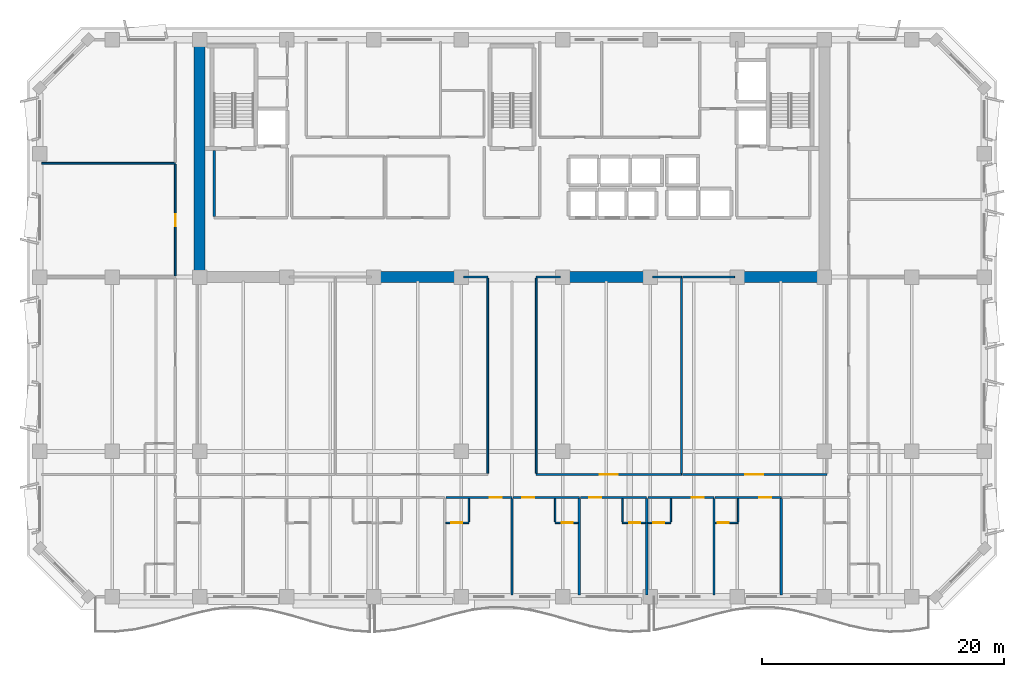
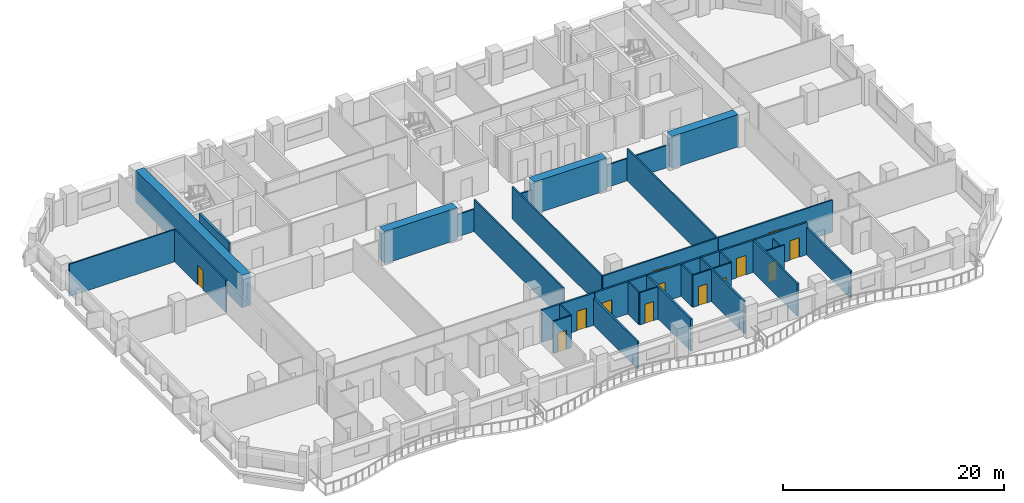
# One storey, part 6 of 15: 36 walls, 13 doors, 13 openings.
"""IFC4 building model written with IfcOpenShell, lengths in metres."""

from ifc_helpers import new_model, si_unit, direction, frame, frame_2d, origin, place, context, subcontext, project, spatial, rectangle, extrude, material, layer, layer_set, type_object, element, fill, save


model = new_model("IFC4")

# Units and contexts
model_context = context("Model", 3, precision=1e-05, world=origin(), true_north=direction((0.0, 1.0)))
body_context = subcontext(model_context, "Body", "Model", "MODEL_VIEW")
ifc_project = project(units=[si_unit("LENGTHUNIT", "METRE"), si_unit("AREAUNIT", "SQUARE_METRE"), si_unit("VOLUMEUNIT", "CUBIC_METRE"), si_unit("PLANEANGLEUNIT", "RADIAN"), si_unit("MASSUNIT", "GRAM", prefix="KILO")], contexts=[model_context])

# Site, building, storey
site_placement = place(None, origin())
site = spatial("IfcSite", under=ifc_project, at=site_placement, CompositionType="ELEMENT")
building_placement = place(site_placement, origin())
building = spatial("IfcBuilding", under=site, at=building_placement, Name="Kaelvorn Grand Hotel", CompositionType="ELEMENT")
storey_placement = place(building_placement, frame((0.0, 0.0, 142.949951171875)))
storey = spatial("IfcBuildingStorey", under=building, at=storey_placement, Name="L34", CompositionType="ELEMENT", Elevation=142.949951171875)

# Walls
ifc_material_1 = material(Name="Concrete C60/75", Category="concrete")
ifc_layer_1 = layer(ifc_material_1, 0.89990234375)
ifc_layer_set_1 = layer_set([ifc_layer_1], Name="Concrete C60/75")
wall_type_1 = type_object("IfcWallType", Name="WL-CORE-900-C60", PredefinedType="SHEAR", material=ifc_layer_set_1)
wall_1_placement = place(storey_placement, frame((16.199951171875, 29.39990234375, 0.0), z_axis=(0.0, 0.0, 1.0), x_axis=(0.0, 1.0, 0.0)))
element("IfcWall", 1, at=wall_1_placement, inside=storey, type_object=wall_type_1, Name="L34 Rear-Core West Shear Wall", PredefinedType="SHEAR", context=body_context, shape_type="SweptSolid", body=[
    extrude(rectangle(XDim=19.2001953125, YDim=0.89990234375, at=frame_2d((9.60009765625, 0.0))), origin(), (0.0, 0.0, 1.0), 3.56005859375),
])
for number, where, z_axis, x_axis, name in (
    (2, (30.39990234375, 29.39990234375, 0.0), (0.0, 0.0, 1.0), (1.0, 0.0, 0.0), "L34 Rear-Core Coupled Shear Pier S2"),
    (3, (46.0, 29.39990234375, 0.0), (0.0, 0.0, 1.0), (1.0, 0.0, 0.0), "L34 Rear-Core Coupled Shear Pier S3"),
):
    element("IfcWall", number, at=place(storey_placement, frame(where, z_axis=z_axis, x_axis=x_axis)), inside=storey, type_object=wall_type_1, Name=name, PredefinedType="SHEAR", context=body_context, shape_type="SweptSolid", body=[
        extrude(rectangle(XDim=7.60009765625, YDim=0.89990234375, at=frame_2d((3.800048828125, 0.0))), origin(), (0.0, 0.0, 1.0), 3.56005859375),
    ])
wall_2_placement = place(storey_placement, frame((60.39990234375, 29.39990234375, 0.0), z_axis=(0.0, 0.0, 1.0), x_axis=(1.0, 0.0, 0.0)))
element("IfcWall", 4, at=wall_2_placement, inside=storey, type_object=wall_type_1, Name="L34 Rear-Core Coupled Shear Pier S4", PredefinedType="SHEAR", context=body_context, shape_type="SweptSolid", body=[
    extrude(rectangle(XDim=6.945068359375, YDim=0.89990234375, at=frame_2d((3.47265625, 0.0))), origin(), (0.0, 0.0, 1.0), 3.56005859375),
])

# Wall, opening, door
ifc_material_2 = material(Name="Moisture-Resistant Tile & Stud Board")
ifc_layer_2 = layer(ifc_material_2, 0.125)
ifc_layer_set_2 = layer_set([ifc_layer_2], Name="Moisture-Resistant Tile & Stud Board")
wall_type_2 = type_object("IfcWallType", Name="WL-PART-125-WET", PredefinedType="PARTITIONING", material=ifc_layer_set_2)
wall_3_placement = place(storey_placement, frame((36.534912109375, 9.110107421875, 0.0), z_axis=(0.0, 0.0, 1.0), x_axis=(1.0, 0.0, 0.0)))
wall_3 = element("IfcWall", 5, at=wall_3_placement, inside=storey, type_object=wall_type_2, Name="L34 En-suite Bathroom L34-05 S Partition", PredefinedType="PARTITIONING", context=body_context, shape_type="SweptSolid", body=[
    extrude(rectangle(XDim=1.905029296875, YDim=0.125, at=frame_2d((0.95263671875, 0.0))), origin(), (0.0, 0.0, 1.0), 3.56005859375),
])
opening_1_placement = place(wall_3_placement, frame((0.455078125, 0.0, 0.0)))
opening_1 = element("IfcOpeningElement", 6, at=opening_1_placement, cuts=wall_3, Name="Opening DI4", PredefinedType="OPENING", context=body_context, shape_type="SweptSolid", body=[
    extrude(rectangle(XDim=0.89990234375, YDim=2.10009765625, at=frame_2d((0.449951171875, 1.050048828125))), frame((0.0, 0.072509765625, 0.0), z_axis=(0.0, -1.0, 0.0), x_axis=(1.0, 0.0, 0.0)), (0.0, 0.0, 1.0), 0.14501953125),
])
ifc_material_3 = material(Name="Timber Veneer Leaf", Category="wood")
door_type_1 = type_object("IfcDoorType", Name="DR-INT-BATH-900x2100", OperationType="NOTDEFINED", PredefinedType="DOOR", material=ifc_material_3)
door_1_placement = place(opening_1_placement, origin())
door_1 = element("IfcDoor", 7, at=door_1_placement, inside=storey, type_object=door_type_1, Name="L34 En-suite Bathroom L34-05 Door", OperationType="SINGLE_SWING_RIGHT", OverallHeight=2.10009765625, OverallWidth=0.89990234375, PredefinedType="DOOR", context=body_context, shape_type="SweptSolid", body=[
    extrude(rectangle(XDim=0.89990234375, YDim=2.10009765625, at=frame_2d((0.449951171875, 1.050048828125))), frame((0.0, 0.02490234375, 0.0), z_axis=(0.0, -1.0, 0.0), x_axis=(1.0, 0.0, 0.0)), (0.0, 0.0, 1.0), 0.050048828125),
])
fill(opening_1, door_1)

# Wall
wall_4_placement = place(storey_placement, frame((38.43994140625, 9.177490234375, 0.0), z_axis=(0.0, 0.0, 1.0), x_axis=(0.0, 1.0, 0.0)))
element("IfcWall", 8, at=wall_4_placement, inside=storey, type_object=wall_type_2, Name="L34 En-suite Bathroom L34-05 E Partition", PredefinedType="PARTITIONING", context=body_context, shape_type="SweptSolid", body=[
    extrude(rectangle(XDim=1.927490234375, YDim=0.125, at=frame_2d((0.9638671875, 0.0))), origin(), (0.0, 0.0, 1.0), 3.56005859375),
])

# Wall, opening, door
wall_5_placement = place(storey_placement, frame((45.56005859375, 9.110107421875, 0.0), z_axis=(0.0, 0.0, 1.0), x_axis=(1.0, 0.0, 0.0)))
wall_5 = element("IfcWall", 9, at=wall_5_placement, inside=storey, type_object=wall_type_2, Name="L34 En-suite Bathroom L34-06 S Partition", PredefinedType="PARTITIONING", context=body_context, shape_type="SweptSolid", body=[
    extrude(rectangle(XDim=1.905029296875, YDim=0.125, at=frame_2d((0.95263671875, 0.0))), origin(), (0.0, 0.0, 1.0), 3.56005859375),
])
opening_2_placement = place(wall_5_placement, frame((0.550048828125, 0.0, 0.0)))
opening_2 = element("IfcOpeningElement", 10, at=opening_2_placement, cuts=wall_5, Name="Opening DI4", PredefinedType="OPENING", context=body_context, shape_type="SweptSolid", body=[
    extrude(rectangle(XDim=0.89990234375, YDim=2.10009765625, at=frame_2d((0.449951171875, 1.050048828125))), frame((0.0, 0.072509765625, 0.0), z_axis=(0.0, -1.0, 0.0), x_axis=(1.0, 0.0, 0.0)), (0.0, 0.0, 1.0), 0.14501953125),
])
door_2_placement = place(opening_2_placement, origin())
door_2 = element("IfcDoor", 11, at=door_2_placement, inside=storey, type_object=door_type_1, Name="L34 En-suite Bathroom L34-06 Door", OperationType="SINGLE_SWING_RIGHT", OverallHeight=2.10009765625, OverallWidth=0.89990234375, PredefinedType="DOOR", context=body_context, shape_type="SweptSolid", body=[
    extrude(rectangle(XDim=0.89990234375, YDim=2.10009765625, at=frame_2d((0.449951171875, 1.050048828125))), frame((0.0, 0.02490234375, 0.0), z_axis=(0.0, -1.0, 0.0), x_axis=(1.0, 0.0, 0.0)), (0.0, 0.0, 1.0), 0.050048828125),
])
fill(opening_2, door_2)

# Wall
wall_6_placement = place(storey_placement, frame((45.56005859375, 9.177490234375, 0.0), z_axis=(0.0, 0.0, 1.0), x_axis=(0.0, 1.0, 0.0)))
element("IfcWall", 12, at=wall_6_placement, inside=storey, type_object=wall_type_2, Name="L34 En-suite Bathroom L34-06 W Partition", PredefinedType="PARTITIONING", context=body_context, shape_type="SweptSolid", body=[
    extrude(rectangle(XDim=1.927490234375, YDim=0.125, at=frame_2d((0.9638671875, 0.0))), origin(), (0.0, 0.0, 1.0), 3.56005859375),
])

# Wall, opening, door
wall_7_placement = place(storey_placement, frame((51.1201171875, 9.110107421875, 0.0), z_axis=(0.0, 0.0, 1.0), x_axis=(1.0, 0.0, 0.0)))
wall_7 = element("IfcWall", 13, at=wall_7_placement, inside=storey, type_object=wall_type_2, Name="L34 En-suite Bathroom L34-07 S Partition", PredefinedType="PARTITIONING", context=body_context, shape_type="SweptSolid", body=[
    extrude(rectangle(XDim=1.90478515625, YDim=0.125, at=frame_2d((0.952392578125, 0.0))), origin(), (0.0, 0.0, 1.0), 3.56005859375),
])
opening_3_placement = place(wall_7_placement, frame((0.550048828125, 0.0, 0.0)))
opening_3 = element("IfcOpeningElement", 14, at=opening_3_placement, cuts=wall_7, Name="Opening DI4", PredefinedType="OPENING", context=body_context, shape_type="SweptSolid", body=[
    extrude(rectangle(XDim=0.89990234375, YDim=2.10009765625, at=frame_2d((0.449951171875, 1.050048828125))), frame((0.0, 0.072509765625, 0.0), z_axis=(0.0, -1.0, 0.0), x_axis=(1.0, 0.0, 0.0)), (0.0, 0.0, 1.0), 0.14501953125),
])
door_3_placement = place(opening_3_placement, origin())
door_3 = element("IfcDoor", 15, at=door_3_placement, inside=storey, type_object=door_type_1, Name="L34 En-suite Bathroom L34-07 Door", OperationType="SINGLE_SWING_RIGHT", OverallHeight=2.10009765625, OverallWidth=0.89990234375, PredefinedType="DOOR", context=body_context, shape_type="SweptSolid", body=[
    extrude(rectangle(XDim=0.89990234375, YDim=2.10009765625, at=frame_2d((0.449951171875, 1.050048828125))), frame((0.0, 0.02490234375, 0.0), z_axis=(0.0, -1.0, 0.0), x_axis=(1.0, 0.0, 0.0)), (0.0, 0.0, 1.0), 0.050048828125),
])
fill(opening_3, door_3)

# Wall
wall_8_placement = place(storey_placement, frame((51.1201171875, 9.177490234375, 0.0), z_axis=(0.0, 0.0, 1.0), x_axis=(0.0, 1.0, 0.0)))
element("IfcWall", 16, at=wall_8_placement, inside=storey, type_object=wall_type_2, Name="L34 En-suite Bathroom L34-07 W Partition", PredefinedType="PARTITIONING", context=body_context, shape_type="SweptSolid", body=[
    extrude(rectangle(XDim=1.927490234375, YDim=0.125, at=frame_2d((0.9638671875, 0.0))), origin(), (0.0, 0.0, 1.0), 3.56005859375),
])

# Wall, opening, door
wall_9_placement = place(storey_placement, frame((53.215087890625, 9.110107421875, 0.0), z_axis=(0.0, 0.0, 1.0), x_axis=(1.0, 0.0, 0.0)))
wall_9 = element("IfcWall", 17, at=wall_9_placement, inside=storey, type_object=wall_type_2, Name="L34 En-suite Bathroom L34-08 S Partition", PredefinedType="PARTITIONING", context=body_context, shape_type="SweptSolid", body=[
    extrude(rectangle(XDim=1.905029296875, YDim=0.125, at=frame_2d((0.95263671875, 0.0))), origin(), (0.0, 0.0, 1.0), 3.56005859375),
])
opening_4_placement = place(wall_9_placement, frame((0.455078125, 0.0, 0.0)))
opening_4 = element("IfcOpeningElement", 18, at=opening_4_placement, cuts=wall_9, Name="Opening DI4", PredefinedType="OPENING", context=body_context, shape_type="SweptSolid", body=[
    extrude(rectangle(XDim=0.89990234375, YDim=2.10009765625, at=frame_2d((0.449951171875, 1.050048828125))), frame((0.0, 0.072509765625, 0.0), z_axis=(0.0, -1.0, 0.0), x_axis=(1.0, 0.0, 0.0)), (0.0, 0.0, 1.0), 0.14501953125),
])
door_4_placement = place(opening_4_placement, origin())
door_4 = element("IfcDoor", 19, at=door_4_placement, inside=storey, type_object=door_type_1, Name="L34 En-suite Bathroom L34-08 Door", OperationType="SINGLE_SWING_RIGHT", OverallHeight=2.10009765625, OverallWidth=0.89990234375, PredefinedType="DOOR", context=body_context, shape_type="SweptSolid", body=[
    extrude(rectangle(XDim=0.89990234375, YDim=2.10009765625, at=frame_2d((0.449951171875, 1.050048828125))), frame((0.0, 0.02490234375, 0.0), z_axis=(0.0, -1.0, 0.0), x_axis=(1.0, 0.0, 0.0)), (0.0, 0.0, 1.0), 0.050048828125),
])
fill(opening_4, door_4)

# Wall
wall_10_placement = place(storey_placement, frame((55.1201171875, 9.177490234375, 0.0), z_axis=(0.0, 0.0, 1.0), x_axis=(0.0, 1.0, 0.0)))
element("IfcWall", 20, at=wall_10_placement, inside=storey, type_object=wall_type_2, Name="L34 En-suite Bathroom L34-08 E Partition", PredefinedType="PARTITIONING", context=body_context, shape_type="SweptSolid", body=[
    extrude(rectangle(XDim=1.927490234375, YDim=0.125, at=frame_2d((0.9638671875, 0.0))), origin(), (0.0, 0.0, 1.0), 3.56005859375),
])

# Wall, opening, door
wall_11_placement = place(storey_placement, frame((58.77490234375, 9.110107421875, 0.0), z_axis=(0.0, 0.0, 1.0), x_axis=(1.0, 0.0, 0.0)))
wall_11 = element("IfcWall", 21, at=wall_11_placement, inside=storey, type_object=wall_type_2, Name="L34 En-suite Bathroom L34-09 S Partition", PredefinedType="PARTITIONING", context=body_context, shape_type="SweptSolid", body=[
    extrude(rectangle(XDim=1.905029296875, YDim=0.125, at=frame_2d((0.95263671875, 0.0))), origin(), (0.0, 0.0, 1.0), 3.56005859375),
])
opening_5_placement = place(wall_11_placement, frame((0.205078125, 0.0, 0.0)))
opening_5 = element("IfcOpeningElement", 22, at=opening_5_placement, cuts=wall_11, Name="Opening DI4", PredefinedType="OPENING", context=body_context, shape_type="SweptSolid", body=[
    extrude(rectangle(XDim=0.89990234375, YDim=2.10009765625, at=frame_2d((0.449951171875, 1.050048828125))), frame((0.0, 0.072509765625, 0.0), z_axis=(0.0, -1.0, 0.0), x_axis=(1.0, 0.0, 0.0)), (0.0, 0.0, 1.0), 0.14501953125),
])
door_5_placement = place(opening_5_placement, origin())
door_5 = element("IfcDoor", 23, at=door_5_placement, inside=storey, type_object=door_type_1, Name="L34 En-suite Bathroom L34-09 Door", OperationType="SINGLE_SWING_RIGHT", OverallHeight=2.10009765625, OverallWidth=0.89990234375, PredefinedType="DOOR", context=body_context, shape_type="SweptSolid", body=[
    extrude(rectangle(XDim=0.89990234375, YDim=2.10009765625, at=frame_2d((0.449951171875, 1.050048828125))), frame((0.0, 0.02490234375, 0.0), z_axis=(0.0, -1.0, 0.0), x_axis=(1.0, 0.0, 0.0)), (0.0, 0.0, 1.0), 0.050048828125),
])
fill(opening_5, door_5)

# Walls
wall_12_placement = place(storey_placement, frame((60.679931640625, 9.177490234375, 0.0), z_axis=(0.0, 0.0, 1.0), x_axis=(0.0, 1.0, 0.0)))
element("IfcWall", 24, at=wall_12_placement, inside=storey, type_object=wall_type_2, Name="L34 En-suite Bathroom L34-09 E Partition", PredefinedType="PARTITIONING", context=body_context, shape_type="SweptSolid", body=[
    extrude(rectangle(XDim=1.927490234375, YDim=0.125, at=frame_2d((0.9638671875, 0.0))), origin(), (0.0, 0.0, 1.0), 3.010009765625),
])
ifc_material_4 = material(Name="Acoustic Gypsum & Stud Partition")
ifc_layer_3 = layer(ifc_material_4, 0.14990234375)
ifc_layer_set_3 = layer_set([ifc_layer_3], Name="Acoustic Gypsum & Stud Partition")
wall_type_3 = type_object("IfcWallType", Name="WL-PART-150-EI60", PredefinedType="PARTITIONING", material=ifc_layer_set_3)
wall_13_placement = place(storey_placement, frame((38.010009765625, 29.39990234375, 0.0), z_axis=(0.0, 0.0, 1.0), x_axis=(1.0, 0.0, 0.0)))
element("IfcWall", 25, at=wall_13_placement, inside=storey, type_object=wall_type_3, Name="L34 Hospitality Tea Kitchen N Partition (2)", PredefinedType="PARTITIONING", context=body_context, shape_type="SweptSolid", body=[
    extrude(rectangle(XDim=1.989990234375, YDim=0.14990234375, at=frame_2d((0.9951171875, 0.0))), origin(), (0.0, 0.0, 1.0), 2.4599609375),
])
wall_14_placement = place(storey_placement, frame((40.0, 13.179931640625, 0.0), z_axis=(0.0, 0.0, 1.0), x_axis=(0.0, 1.0, 0.0)))
element("IfcWall", 26, at=wall_14_placement, inside=storey, type_object=wall_type_3, Name="L34 Hospitality Tea Kitchen E Partition", PredefinedType="PARTITIONING", context=body_context, shape_type="SweptSolid", body=[
    extrude(rectangle(XDim=16.14013671875, YDim=0.14990234375, at=frame_2d((8.070068359375, 0.0))), origin(), (0.0, 0.0, 1.0), 3.56005859375),
])

# Wall, opening, door
wall_15_placement = place(storey_placement, frame((44.0, 13.10009765625, 0.0), z_axis=(0.0, 0.0, 1.0), x_axis=(1.0, 0.0, 0.0)))
wall_15 = element("IfcWall", 27, at=wall_15_placement, inside=storey, type_object=wall_type_3, Name="L34 Executive Study Office S Partition", PredefinedType="PARTITIONING", context=body_context, shape_type="SweptSolid", body=[
    extrude(rectangle(XDim=12.0, YDim=0.14990234375, at=frame_2d((6.0, 0.0))), origin(), (0.0, 0.0, 1.0), 3.56005859375),
])
opening_6_placement = place(wall_15_placement, frame((5.25, 0.0, 0.0)))
opening_6 = element("IfcOpeningElement", 28, at=opening_6_placement, cuts=wall_15, Name="Opening DI5", PredefinedType="OPENING", context=body_context, shape_type="SweptSolid", body=[
    extrude(rectangle(XDim=1.5, YDim=2.25, at=frame_2d((0.75, 1.125))), frame((0.0, 0.0849609375, 0.0), z_axis=(0.0, -1.0, 0.0), x_axis=(1.0, 0.0, 0.0)), (0.0, 0.0, 1.0), 0.169921875),
])
ifc_material_5 = material(Name="Timber Veneer Fire Leaf", Category="wood")
door_type_2 = type_object("IfcDoorType", Name="DR-INT-SALON-1500x2250", OperationType="DOUBLE_DOOR_SINGLE_SWING", PredefinedType="DOOR", material=ifc_material_5)
door_6_placement = place(opening_6_placement, origin())
door_6 = element("IfcDoor", 29, at=door_6_placement, inside=storey, type_object=door_type_2, Name="L34 Executive Study Office Door", OperationType="DOUBLE_DOOR_SINGLE_SWING", OverallHeight=2.25, OverallWidth=1.5, PredefinedType="DOOR", context=body_context, shape_type="SweptSolid", body=[
    extrude(rectangle(XDim=1.5, YDim=2.25, at=frame_2d((0.75, 1.125))), frame((0.0, 0.02490234375, 0.0), z_axis=(0.0, -1.0, 0.0), x_axis=(1.0, 0.0, 0.0)), (0.0, 0.0, 1.0), 0.050048828125),
])
fill(opening_6, door_6)

# Walls
wall_16_placement = place(storey_placement, frame((44.0, 29.39990234375, 0.0), z_axis=(0.0, 0.0, 1.0), x_axis=(1.0, 0.0, 0.0)))
element("IfcWall", 30, at=wall_16_placement, inside=storey, type_object=wall_type_3, Name="L34 Executive Study Office N Partition (1)", PredefinedType="PARTITIONING", context=body_context, shape_type="SweptSolid", body=[
    extrude(rectangle(XDim=1.989990234375, YDim=0.14990234375, at=frame_2d((0.9951171875, 0.0))), origin(), (0.0, 0.0, 1.0), 2.4599609375),
])
wall_17_placement = place(storey_placement, frame((53.610107421875, 29.39990234375, 0.0), z_axis=(0.0, 0.0, 1.0), x_axis=(1.0, 0.0, 0.0)))
element("IfcWall", 31, at=wall_17_placement, inside=storey, type_object=wall_type_3, Name="L34 Executive Study Office N Partition (2)", PredefinedType="PARTITIONING", context=body_context, shape_type="SweptSolid", body=[
    extrude(rectangle(XDim=2.389892578125, YDim=0.14990234375, at=frame_2d((1.19482421875, 0.0))), origin(), (0.0, 0.0, 1.0), 2.4599609375),
])
for number, where, z_axis, x_axis, name in (
    (32, (44.0, 13.179931640625, 0.0), (0.0, 0.0, 1.0), (0.0, 1.0, 0.0), "L34 Executive Study Office W Partition"),
    (33, (56.0, 13.179931640625, 0.0), (0.0, 0.0, 1.0), (0.0, 1.0, 0.0), "L34 Executive Study Office E Partition"),
):
    element("IfcWall", number, at=place(storey_placement, frame(where, z_axis=z_axis, x_axis=x_axis)), inside=storey, type_object=wall_type_3, Name=name, PredefinedType="PARTITIONING", context=body_context, shape_type="SweptSolid", body=[
        extrude(rectangle(XDim=16.14013671875, YDim=0.14990234375, at=frame_2d((8.070068359375, 0.0))), origin(), (0.0, 0.0, 1.0), 3.56005859375),
    ])

# Wall, opening, door
wall_18_placement = place(storey_placement, frame((56.080078125, 13.10009765625, 0.0), z_axis=(0.0, 0.0, 1.0), x_axis=(1.0, 0.0, 0.0)))
wall_18 = element("IfcWall", 34, at=wall_18_placement, inside=storey, type_object=wall_type_3, Name="L34 Wellness Fitness Gym S Partition", PredefinedType="PARTITIONING", context=body_context, shape_type="SweptSolid", body=[
    extrude(rectangle(XDim=11.919921875, YDim=0.14990234375, at=frame_2d((5.9599609375, 0.0))), origin(), (0.0, 0.0, 1.0), 3.56005859375),
])
opening_7_placement = place(wall_18_placement, frame((5.169921875, 0.0, 0.0)))
opening_7 = element("IfcOpeningElement", 35, at=opening_7_placement, cuts=wall_18, Name="Opening DI5", PredefinedType="OPENING", context=body_context, shape_type="SweptSolid", body=[
    extrude(rectangle(XDim=1.5, YDim=2.25, at=frame_2d((0.75, 1.125))), frame((0.0, 0.0849609375, 0.0), z_axis=(0.0, -1.0, 0.0), x_axis=(1.0, 0.0, 0.0)), (0.0, 0.0, 1.0), 0.169921875),
])
door_7_placement = place(opening_7_placement, origin())
door_7 = element("IfcDoor", 36, at=door_7_placement, inside=storey, type_object=door_type_2, Name="L34 Wellness Fitness Gym Door", OperationType="DOUBLE_DOOR_SINGLE_SWING", OverallHeight=2.25, OverallWidth=1.5, PredefinedType="DOOR", context=body_context, shape_type="SweptSolid", body=[
    extrude(rectangle(XDim=1.5, YDim=2.25, at=frame_2d((0.75, 1.125))), frame((0.0, 0.02490234375, 0.0), z_axis=(0.0, -1.0, 0.0), x_axis=(1.0, 0.0, 0.0)), (0.0, 0.0, 1.0), 0.050048828125),
])
fill(opening_7, door_7)

# Walls
wall_19_placement = place(storey_placement, frame((56.080078125, 29.39990234375, 0.0), z_axis=(0.0, 0.0, 1.0), x_axis=(1.0, 0.0, 0.0)))
element("IfcWall", 37, at=wall_19_placement, inside=storey, type_object=wall_type_3, Name="L34 Wellness Fitness Gym N Partition", PredefinedType="PARTITIONING", context=body_context, shape_type="SweptSolid", body=[
    extrude(rectangle(XDim=4.309814453125, YDim=0.14990234375, at=frame_2d((2.15478515625, 0.0))), origin(), (0.0, 0.0, 1.0), 2.4599609375),
])
wall_20_placement = place(storey_placement, frame((3.14990234375, 38.800048828125, 0.0), z_axis=(0.0, 0.0, 1.0), x_axis=(1.0, 0.0, 0.0)))
element("IfcWall", 38, at=wall_20_placement, inside=storey, type_object=wall_type_3, Name="L34 North-West Private Dining Restaurant N Partition", PredefinedType="PARTITIONING", context=body_context, shape_type="SweptSolid", body=[
    extrude(rectangle(XDim=11.050048828125, YDim=0.14990234375, at=frame_2d((5.52490234375, 0.0))), origin(), (0.0, 0.0, 1.0), 3.56005859375),
])

# Wall, opening, door
wall_21_placement = place(storey_placement, frame((14.199951171875, 29.4951171875, 0.0), z_axis=(0.0, 0.0, 1.0), x_axis=(0.0, 1.0, 0.0)))
wall_21 = element("IfcWall", 39, at=wall_21_placement, inside=storey, type_object=wall_type_3, Name="L34 North-West Private Dining Restaurant E Partition", PredefinedType="PARTITIONING", context=body_context, shape_type="SweptSolid", body=[
    extrude(rectangle(XDim=9.224853515625, YDim=0.14990234375, at=frame_2d((4.6123046875, 0.0))), origin(), (0.0, 0.0, 1.0), 3.56005859375),
])
opening_8_placement = place(wall_21_placement, frame((4.10498046875, 0.0, 0.0)))
opening_8 = element("IfcOpeningElement", 40, at=opening_8_placement, cuts=wall_21, Name="Opening DI3", PredefinedType="OPENING", context=body_context, shape_type="SweptSolid", body=[
    extrude(rectangle(XDim=1.0, YDim=2.14990234375, at=frame_2d((0.5, 1.074951171875))), frame((0.0, 0.0849609375, 0.0), z_axis=(0.0, -1.0, 0.0), x_axis=(1.0, 0.0, 0.0)), (0.0, 0.0, 1.0), 0.169921875),
])
door_type_3 = type_object("IfcDoorType", Name="DR-INT-GUEST-1000x2150", OperationType="NOTDEFINED", PredefinedType="DOOR", material=ifc_material_5)
door_8_placement = place(opening_8_placement, origin())
door_8 = element("IfcDoor", 41, at=door_8_placement, inside=storey, type_object=door_type_3, Name="L34 North-West Private Dining Restaurant Door", OperationType="SINGLE_SWING_LEFT", OverallHeight=2.14990234375, OverallWidth=1.0, PredefinedType="DOOR", context=body_context, shape_type="SweptSolid", body=[
    extrude(rectangle(XDim=1.0, YDim=2.14990234375, at=frame_2d((0.5, 1.074951171875))), frame((0.0, 0.02490234375, 0.0), z_axis=(0.0, -1.0, 0.0), x_axis=(1.0, 0.0, 0.0)), (0.0, 0.0, 1.0), 0.050048828125),
])
fill(opening_8, door_8)

ifc_layer_4 = layer(ifc_material_4, 0.179931640625)
ifc_layer_set_4 = layer_set([ifc_layer_4], Name="Acoustic Gypsum & Stud Partition")
wall_type_4 = type_object("IfcWallType", Name="WL-PART-180-EI60", PredefinedType="PARTITIONING", material=ifc_layer_set_4)
wall_22_placement = place(storey_placement, frame((36.534912109375, 11.199951171875, 0.0), z_axis=(0.0, 0.0, 1.0), x_axis=(1.0, 0.0, 0.0)))
wall_22 = element("IfcWall", 42, at=wall_22_placement, inside=storey, type_object=wall_type_4, Name="L34 Mid-Rise Signature Suite L34-05 N Partition", PredefinedType="PARTITIONING", context=body_context, shape_type="SweptSolid", body=[
    extrude(rectangle(XDim=5.465087890625, YDim=0.179931640625, at=frame_2d((2.732421875, 0.0))), origin(), (0.0, 0.0, 1.0), 3.56005859375),
])
opening_9_placement = place(wall_22_placement, frame((3.635009765625, 0.0, 0.0)))
opening_9 = element("IfcOpeningElement", 43, at=opening_9_placement, cuts=wall_22, Name="Opening DI3", PredefinedType="OPENING", context=body_context, shape_type="SweptSolid", body=[
    extrude(rectangle(XDim=1.0, YDim=2.14990234375, at=frame_2d((0.5, 1.074951171875))), frame((0.0, 0.10009765625, 0.0), z_axis=(0.0, -1.0, 0.0), x_axis=(1.0, 0.0, 0.0)), (0.0, 0.0, 1.0), 0.199951171875),
])
door_9_placement = place(opening_9_placement, origin())
door_9 = element("IfcDoor", 44, at=door_9_placement, inside=storey, type_object=door_type_3, Name="L34 Mid-Rise Signature Suite L34-05 Door", OperationType="SINGLE_SWING_LEFT", OverallHeight=2.14990234375, OverallWidth=1.0, PredefinedType="DOOR", context=body_context, shape_type="SweptSolid", body=[
    extrude(rectangle(XDim=1.0, YDim=2.14990234375, at=frame_2d((0.5, 1.074951171875))), frame((0.0, 0.02490234375, 0.0), z_axis=(0.0, -1.0, 0.0), x_axis=(1.0, 0.0, 0.0)), (0.0, 0.0, 1.0), 0.050048828125),
])
fill(opening_9, door_9)

# Wall
wall_23_placement = place(storey_placement, frame((42.0, 3.14990234375, 0.0), z_axis=(0.0, 0.0, 1.0), x_axis=(0.0, 1.0, 0.0)))
element("IfcWall", 45, at=wall_23_placement, inside=storey, type_object=wall_type_4, Name="L34 Mid-Rise Signature Suite L34-05 E Partition", PredefinedType="PARTITIONING", context=body_context, shape_type="SweptSolid", body=[
    extrude(rectangle(XDim=7.955078125, YDim=0.179931640625, at=frame_2d((3.9775390625, 0.0))), origin(), (0.0, 0.0, 1.0), 3.010009765625),
])

# Wall, opening, door
wall_24_placement = place(storey_placement, frame((42.094970703125, 11.199951171875, 0.0), z_axis=(0.0, 0.0, 1.0), x_axis=(1.0, 0.0, 0.0)))
wall_24 = element("IfcWall", 46, at=wall_24_placement, inside=storey, type_object=wall_type_4, Name="L34 Superior King Guest Room L34-06 N Partition", PredefinedType="PARTITIONING", context=body_context, shape_type="SweptSolid", body=[
    extrude(rectangle(XDim=5.465087890625, YDim=0.179931640625, at=frame_2d((2.732421875, 0.0))), origin(), (0.0, 0.0, 1.0), 3.56005859375),
])
opening_10_placement = place(wall_24_placement, frame((0.735107421875, 0.0, 0.0)))
opening_10 = element("IfcOpeningElement", 47, at=opening_10_placement, cuts=wall_24, Name="Opening DI3", PredefinedType="OPENING", context=body_context, shape_type="SweptSolid", body=[
    extrude(rectangle(XDim=1.0, YDim=2.14990234375, at=frame_2d((0.5, 1.074951171875))), frame((0.0, 0.10009765625, 0.0), z_axis=(0.0, -1.0, 0.0), x_axis=(1.0, 0.0, 0.0)), (0.0, 0.0, 1.0), 0.199951171875),
])
door_10_placement = place(opening_10_placement, origin())
door_10 = element("IfcDoor", 48, at=door_10_placement, inside=storey, type_object=door_type_3, Name="L34 Superior King Guest Room L34-06 Door", OperationType="SINGLE_SWING_LEFT", OverallHeight=2.14990234375, OverallWidth=1.0, PredefinedType="DOOR", context=body_context, shape_type="SweptSolid", body=[
    extrude(rectangle(XDim=1.0, YDim=2.14990234375, at=frame_2d((0.5, 1.074951171875))), frame((0.0, 0.02490234375, 0.0), z_axis=(0.0, -1.0, 0.0), x_axis=(1.0, 0.0, 0.0)), (0.0, 0.0, 1.0), 0.050048828125),
])
fill(opening_10, door_10)

# Wall
wall_25_placement = place(storey_placement, frame((47.56005859375, 3.14990234375, 0.0), z_axis=(0.0, 0.0, 1.0), x_axis=(0.0, 1.0, 0.0)))
element("IfcWall", 49, at=wall_25_placement, inside=storey, type_object=wall_type_4, Name="L34 Superior King Guest Room L34-06 E Partition", PredefinedType="PARTITIONING", context=body_context, shape_type="SweptSolid", body=[
    extrude(rectangle(XDim=7.955078125, YDim=0.179931640625, at=frame_2d((3.9775390625, 0.0))), origin(), (0.0, 0.0, 1.0), 3.56005859375),
])

# Wall, opening, door
wall_26_placement = place(storey_placement, frame((47.655029296875, 11.199951171875, 0.0), z_axis=(0.0, 0.0, 1.0), x_axis=(1.0, 0.0, 0.0)))
wall_26 = element("IfcWall", 50, at=wall_26_placement, inside=storey, type_object=wall_type_4, Name="L34 Mid-Rise Signature Suite L34-07 N Partition", PredefinedType="PARTITIONING", context=body_context, shape_type="SweptSolid", body=[
    extrude(rectangle(XDim=5.465087890625, YDim=0.179931640625, at=frame_2d((2.732421875, 0.0))), origin(), (0.0, 0.0, 1.0), 3.56005859375),
])
opening_11_placement = place(wall_26_placement, frame((0.735107421875, 0.0, 0.0)))
opening_11 = element("IfcOpeningElement", 51, at=opening_11_placement, cuts=wall_26, Name="Opening DI3", PredefinedType="OPENING", context=body_context, shape_type="SweptSolid", body=[
    extrude(rectangle(XDim=1.0, YDim=2.14990234375, at=frame_2d((0.5, 1.074951171875))), frame((0.0, 0.10009765625, 0.0), z_axis=(0.0, -1.0, 0.0), x_axis=(1.0, 0.0, 0.0)), (0.0, 0.0, 1.0), 0.199951171875),
])
door_11_placement = place(opening_11_placement, origin())
door_11 = element("IfcDoor", 52, at=door_11_placement, inside=storey, type_object=door_type_3, Name="L34 Mid-Rise Signature Suite L34-07 Door", OperationType="SINGLE_SWING_LEFT", OverallHeight=2.14990234375, OverallWidth=1.0, PredefinedType="DOOR", context=body_context, shape_type="SweptSolid", body=[
    extrude(rectangle(XDim=1.0, YDim=2.14990234375, at=frame_2d((0.5, 1.074951171875))), frame((0.0, 0.02490234375, 0.0), z_axis=(0.0, -1.0, 0.0), x_axis=(1.0, 0.0, 0.0)), (0.0, 0.0, 1.0), 0.050048828125),
])
fill(opening_11, door_11)

# Wall
wall_27_placement = place(storey_placement, frame((53.1201171875, 3.14990234375, 0.0), z_axis=(0.0, 0.0, 1.0), x_axis=(0.0, 1.0, 0.0)))
element("IfcWall", 53, at=wall_27_placement, inside=storey, type_object=wall_type_4, Name="L34 Mid-Rise Signature Suite L34-07 E Partition", PredefinedType="PARTITIONING", context=body_context, shape_type="SweptSolid", body=[
    extrude(rectangle(XDim=7.955078125, YDim=0.179931640625, at=frame_2d((3.9775390625, 0.0))), origin(), (0.0, 0.0, 1.0), 3.56005859375),
])

# Wall, opening, door
wall_28_placement = place(storey_placement, frame((53.215087890625, 11.199951171875, 0.0), z_axis=(0.0, 0.0, 1.0), x_axis=(1.0, 0.0, 0.0)))
wall_28 = element("IfcWall", 54, at=wall_28_placement, inside=storey, type_object=wall_type_4, Name="L34 Superior King Guest Room L34-08 N Partition", PredefinedType="PARTITIONING", context=body_context, shape_type="SweptSolid", body=[
    extrude(rectangle(XDim=5.46484375, YDim=0.179931640625, at=frame_2d((2.732421875, 0.0))), origin(), (0.0, 0.0, 1.0), 3.56005859375),
])
opening_12_placement = place(wall_28_placement, frame((3.635009765625, 0.0, 0.0)))
opening_12 = element("IfcOpeningElement", 55, at=opening_12_placement, cuts=wall_28, Name="Opening DI3", PredefinedType="OPENING", context=body_context, shape_type="SweptSolid", body=[
    extrude(rectangle(XDim=1.0, YDim=2.14990234375, at=frame_2d((0.5, 1.074951171875))), frame((0.0, 0.10009765625, 0.0), z_axis=(0.0, -1.0, 0.0), x_axis=(1.0, 0.0, 0.0)), (0.0, 0.0, 1.0), 0.199951171875),
])
door_12_placement = place(opening_12_placement, origin())
door_12 = element("IfcDoor", 56, at=door_12_placement, inside=storey, type_object=door_type_3, Name="L34 Superior King Guest Room L34-08 Door", OperationType="SINGLE_SWING_LEFT", OverallHeight=2.14990234375, OverallWidth=1.0, PredefinedType="DOOR", context=body_context, shape_type="SweptSolid", body=[
    extrude(rectangle(XDim=1.0, YDim=2.14990234375, at=frame_2d((0.5, 1.074951171875))), frame((0.0, 0.02490234375, 0.0), z_axis=(0.0, -1.0, 0.0), x_axis=(1.0, 0.0, 0.0)), (0.0, 0.0, 1.0), 0.050048828125),
])
fill(opening_12, door_12)

# Wall
wall_29_placement = place(storey_placement, frame((58.679931640625, 3.14990234375, 0.0), z_axis=(0.0, 0.0, 1.0), x_axis=(0.0, 1.0, 0.0)))
element("IfcWall", 57, at=wall_29_placement, inside=storey, type_object=wall_type_4, Name="L34 Superior King Guest Room L34-08 E Partition", PredefinedType="PARTITIONING", context=body_context, shape_type="SweptSolid", body=[
    extrude(rectangle(XDim=7.955078125, YDim=0.179931640625, at=frame_2d((3.9775390625, 0.0))), origin(), (0.0, 0.0, 1.0), 3.56005859375),
])

# Wall, opening, door
wall_30_placement = place(storey_placement, frame((58.77490234375, 11.199951171875, 0.0), z_axis=(0.0, 0.0, 1.0), x_axis=(1.0, 0.0, 0.0)))
wall_30 = element("IfcWall", 58, at=wall_30_placement, inside=storey, type_object=wall_type_4, Name="L34 Mid-Rise Signature Suite L34-09 N Partition", PredefinedType="PARTITIONING", context=body_context, shape_type="SweptSolid", body=[
    extrude(rectangle(XDim=5.465087890625, YDim=0.179931640625, at=frame_2d((2.732421875, 0.0))), origin(), (0.0, 0.0, 1.0), 3.56005859375),
])
opening_13_placement = place(wall_30_placement, frame((3.635009765625, 0.0, 0.0)))
opening_13 = element("IfcOpeningElement", 59, at=opening_13_placement, cuts=wall_30, Name="Opening DI3", PredefinedType="OPENING", context=body_context, shape_type="SweptSolid", body=[
    extrude(rectangle(XDim=1.0, YDim=2.14990234375, at=frame_2d((0.5, 1.074951171875))), frame((0.0, 0.10009765625, 0.0), z_axis=(0.0, -1.0, 0.0), x_axis=(1.0, 0.0, 0.0)), (0.0, 0.0, 1.0), 0.199951171875),
])
door_13_placement = place(opening_13_placement, origin())
door_13 = element("IfcDoor", 60, at=door_13_placement, inside=storey, type_object=door_type_3, Name="L34 Mid-Rise Signature Suite L34-09 Door", OperationType="SINGLE_SWING_LEFT", OverallHeight=2.14990234375, OverallWidth=1.0, PredefinedType="DOOR", context=body_context, shape_type="SweptSolid", body=[
    extrude(rectangle(XDim=1.0, YDim=2.14990234375, at=frame_2d((0.5, 1.074951171875))), frame((0.0, 0.02490234375, 0.0), z_axis=(0.0, -1.0, 0.0), x_axis=(1.0, 0.0, 0.0)), (0.0, 0.0, 1.0), 0.050048828125),
])
fill(opening_13, door_13)

# Walls
wall_31_placement = place(storey_placement, frame((64.239990234375, 3.14990234375, 0.0), z_axis=(0.0, 0.0, 1.0), x_axis=(0.0, 1.0, 0.0)))
element("IfcWall", 61, at=wall_31_placement, inside=storey, type_object=wall_type_4, Name="L34 Mid-Rise Signature Suite L34-09 E Partition", PredefinedType="PARTITIONING", context=body_context, shape_type="SweptSolid", body=[
    extrude(rectangle(XDim=7.955078125, YDim=0.179931640625, at=frame_2d((3.9775390625, 0.0))), origin(), (0.0, 0.0, 1.0), 3.010009765625),
])
ifc_material_6 = material(Name="Concrete C40/50", Category="concrete")
ifc_layer_5 = layer(ifc_material_6, 0.219970703125)
ifc_layer_set_5 = layer_set([ifc_layer_5], Name="Concrete C40/50")
wall_type_5 = type_object("IfcWallType", Name="WL-PART-220-EI120", PredefinedType="PARTITIONING", material=ifc_layer_set_5)
wall_32_placement = place(storey_placement, frame((17.39990234375, 34.4150390625, 0.0), z_axis=(0.0, 0.0, 1.0), x_axis=(0.0, 1.0, 0.0)))
element("IfcWall", 62, at=wall_32_placement, inside=storey, type_object=wall_type_5, Name="L34 Firefighting Lift Lobby 1 W Partition", PredefinedType="PARTITIONING", context=body_context, shape_type="SweptSolid", body=[
    extrude(rectangle(XDim=5.429931640625, YDim=0.219970703125, at=frame_2d((2.71484375, 0.0))), origin(), (0.0, 0.0, 1.0), 3.56005859375),
])

save(model, "model.ifc")
